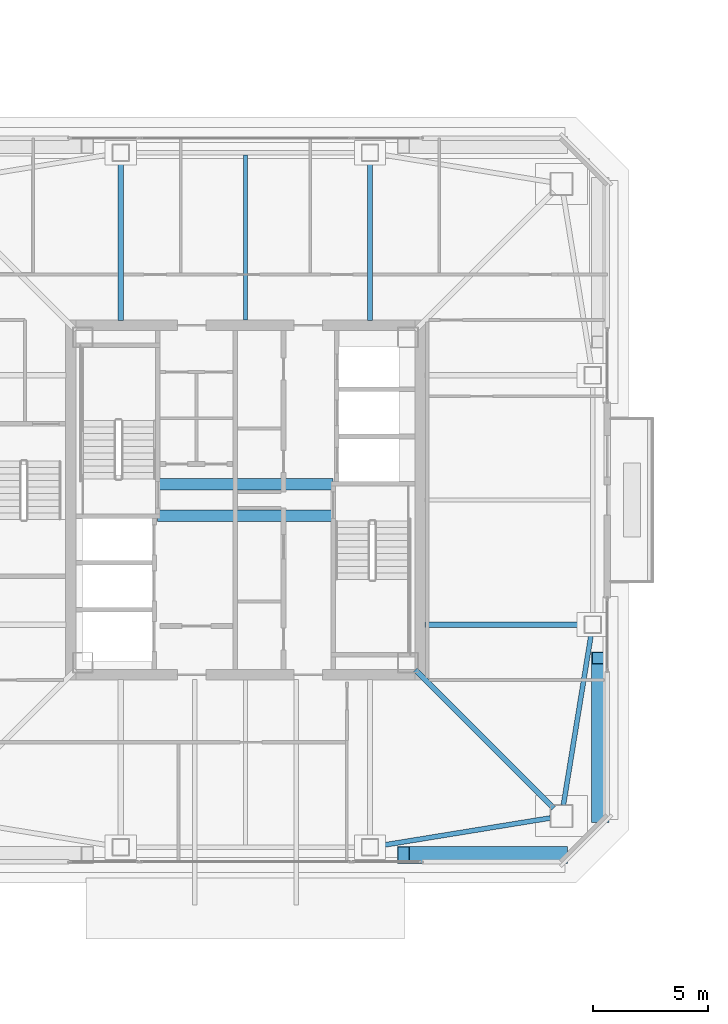
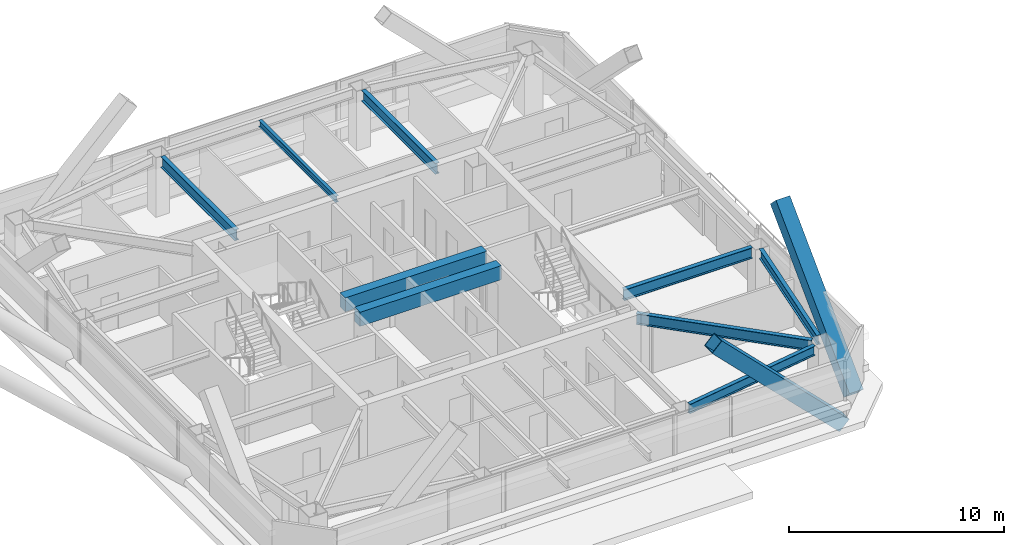
# One storey, part 9 of 39: 9 beams, 2 members.
"""IFC4 building model written with IfcOpenShell, lengths in metres."""

from ifc_helpers import new_model, si_unit, direction, frame, origin, origin_2d, place, context, subcontext, project, spatial, rectangle, hollow_rectangle, i_section, extrude, material, material_profile, profile_set, type_object, element, save


model = new_model("IFC4")

# Units and contexts
model_context = context("Model", 3, precision=1e-05, world=origin(), true_north=direction((0.0, 1.0)))
body_context = subcontext(model_context, "Body", "Model", "MODEL_VIEW")
ifc_project = project(units=[si_unit("LENGTHUNIT", "METRE"), si_unit("AREAUNIT", "SQUARE_METRE"), si_unit("VOLUMEUNIT", "CUBIC_METRE"), si_unit("PLANEANGLEUNIT", "RADIAN"), si_unit("MASSUNIT", "GRAM", prefix="KILO")], contexts=[model_context])

# Site, building, storey
site_placement = place(None, origin())
site = spatial("IfcSite", under=ifc_project, at=site_placement, CompositionType="ELEMENT")
building_placement = place(site_placement, origin())
building = spatial("IfcBuilding", under=site, at=building_placement, Name="Tashvorn Skyway Center", CompositionType="ELEMENT")
storey_placement = place(building_placement, frame((0.0, 0.0, 232.60009765625)))
storey = spatial("IfcBuildingStorey", under=building, at=storey_placement, Name="L63", CompositionType="ELEMENT", Elevation=232.60009765625)

# Beams
ifc_material_1 = material(Name="Steel ASTM A992 Grade 50", Category="steel")
ifc_material_profile_1 = material_profile(ifc_material_1, i_section(OverallWidth=0.22998046875, OverallDepth=0.616943359375, WebThickness=0.01318359375, FlangeThickness=0.022216796875, at=origin_2d()), Name="W24X94")
ifc_profile_set_1 = profile_set([ifc_material_profile_1], Name="Steel ASTM A992 Grade 50")
beam_type_1 = type_object("IfcBeamType", Name="BM-BEAM-W24X94", PredefinedType="BEAM", material=ifc_profile_set_1)
beam_1_placement = place(storey_placement, frame((55.35009765625, 18.64990234375, 3.0615234375), z_axis=(-0.707106781187, 0.707106781187, 0.0), x_axis=(-0.707106781187, -0.707106781187, 0.0)))
element("IfcBeam", 1, at=beam_1_placement, inside=storey, type_object=beam_type_1, Name="Tower 1 L63 Primary Floor Girder MC-SE", PredefinedType="BEAM", context=body_context, shape_type="SweptSolid", body=[
    extrude(i_section(OverallWidth=0.22998046875, OverallDepth=0.616943359375, WebThickness=0.01318359375, FlangeThickness=0.022216796875, at=origin_2d()), origin(), (0.0, 0.0, 1.0), 8.464599609375),
])
for number, where, z_axis, x_axis, name in (
    (2, (56.679931640625, 26.60009765625, 3.0615234375), (-1.0, 0.0, 0.0), (0.0, -1.0, 0.0), "Tower 1 L63 Primary Floor Girder FC-E1"),
    (3, (47.39990234375, 46.679931640625, 3.0615234375), (0.0, -1.0, 0.0), (1.0, 0.0, 0.0), "Tower 1 L63 Primary Floor Girder FC-N1"),
    (4, (36.60009765625, 46.679931640625, 3.0615234375), (0.0, -1.0, 0.0), (1.0, 0.0, 0.0), "Tower 1 L63 Primary Floor Girder FC-N2"),
):
    element("IfcBeam", number, at=place(storey_placement, frame(where, z_axis=z_axis, x_axis=x_axis)), inside=storey, type_object=beam_type_1, Name=name, PredefinedType="BEAM", context=body_context, shape_type="SweptSolid", body=[
        extrude(i_section(OverallWidth=0.22998046875, OverallDepth=0.616943359375, WebThickness=0.01318359375, FlangeThickness=0.022216796875, at=origin_2d()), origin(), (0.0, 0.0, 1.0), 6.89990234375),
    ])
ifc_material_profile_2 = material_profile(ifc_material_1, i_section(OverallWidth=0.1708984375, OverallDepth=0.35498046875, WebThickness=0.007080078125, FlangeThickness=0.01171875, at=origin_2d()), Name="W14X34")
ifc_profile_set_2 = profile_set([ifc_material_profile_2], Name="Steel ASTM A992 Grade 50")
beam_type_2 = type_object("IfcBeamType", Name="BM-JOIST-W14X34", PredefinedType="JOIST", material=ifc_profile_set_2)
beam_2_placement = place(storey_placement, frame((42.0, 39.7900390625, 3.1923828125), z_axis=(0.0, 1.0, 0.0), x_axis=(-1.0, 0.0, 0.0)))
element("IfcBeam", 5, at=beam_2_placement, inside=storey, type_object=beam_type_2, Name="Tower 1 L63 Secondary Composite Joist JN", PredefinedType="JOIST", context=body_context, shape_type="SweptSolid", body=[
    extrude(i_section(OverallWidth=0.1708984375, OverallDepth=0.35498046875, WebThickness=0.007080078125, FlangeThickness=0.01171875, at=origin_2d()), origin(), (0.0, 0.0, 1.0), 7.162353515625),
])
ifc_material_2 = material(Name="Concrete C50/60", Category="concrete")
ifc_material_profile_3 = material_profile(ifc_material_2, rectangle(XDim=0.5, YDim=0.800048828125, at=origin_2d()), Name="RCB500x800")
ifc_profile_set_3 = profile_set([ifc_material_profile_3], Name="Concrete C50/60")
beam_type_3 = type_object("IfcBeamType", Name="BM-LINTEL-RCB500x800", PredefinedType="LINTEL", material=ifc_profile_set_3)
for number, where, z_axis, x_axis, name in (
    (6, (38.199951171875, 32.679931640625, 2.969970703125), (1.0, 0.0, 0.0), (0.0, 1.0, 0.0), "Tower 1 L63 Core Coupling Beam CN"),
    (7, (38.199951171875, 31.320068359375, 2.969970703125), (1.0, 0.0, 0.0), (0.0, 1.0, 0.0), "Tower 1 L63 Core Coupling Beam CS"),
):
    element("IfcBeam", number, at=place(storey_placement, frame(where, z_axis=z_axis, x_axis=x_axis)), inside=storey, type_object=beam_type_3, Name=name, PredefinedType="LINTEL", context=body_context, shape_type="SweptSolid", body=[
        extrude(rectangle(XDim=0.5, YDim=0.800048828125, at=origin_2d()), origin(), (0.0, 0.0, 1.0), 7.60009765625),
    ])
ifc_material_profile_4 = material_profile(ifc_material_1, i_section(OverallWidth=0.2109375, OverallDepth=0.5390625, WebThickness=0.01171875, FlangeThickness=0.018798828125, at=origin_2d()), Name="W21X73")
ifc_profile_set_4 = profile_set([ifc_material_profile_4], Name="Steel ASTM A992 Grade 50")
beam_type_4 = type_object("IfcBeamType", Name="BM-SPANDREL-W21X73", PredefinedType="SPANDREL", material=ifc_profile_set_4)
for number, where, z_axis, x_axis, name in (
    (8, (47.76513671875, 17.009521484375, 3.100341796875), (0.987033514444, 0.160514302677, 0.0), (-0.160514302677, 0.987033514444, 0.0), "Tower 1 L63 Spandrel Beam 03"),
    (9, (55.779541015625, 18.78857421875, 3.100341796875), (0.160514302677, 0.987033514444, 0.0), (-0.987033514444, 0.160514302677, 0.0), "Tower 1 L63 Spandrel Beam 04"),
):
    element("IfcBeam", number, at=place(storey_placement, frame(where, z_axis=z_axis, x_axis=x_axis)), inside=storey, type_object=beam_type_4, Name=name, PredefinedType="SPANDREL", context=body_context, shape_type="SweptSolid", body=[
        extrude(i_section(OverallWidth=0.2109375, OverallDepth=0.5390625, WebThickness=0.01171875, FlangeThickness=0.018798828125, at=origin_2d()), origin(), (0.0, 0.0, 1.0), 7.544189453125),
    ])

# Members
ifc_material_3 = material(Name="Steel ASTM A572 Grade 50", Category="steel")
ifc_material_profile_5 = material_profile(ifc_material_3, hollow_rectangle(XDim=0.75, YDim=0.75, WallThickness=0.031982421875, at=origin_2d()), Name="BOX750x750x32")
ifc_profile_set_5 = profile_set([ifc_material_profile_5], Name="Steel ASTM A572 Grade 50")
member_type = type_object("IfcMemberType", Name="MEM-MB-750", PredefinedType="BRACE", material=ifc_profile_set_5)
for number, where, z_axis, x_axis, name in (
    (10, (55.699951171875, 16.6201171875, -0.2001953125), (-0.707094180045, 0.0, 0.707119382104), (0.0, -1.0, 0.0), "Tower 1 Zone 6 S Chevron Mega-Brace R1"),
    (11, (57.3798828125, 18.300048828125, -0.2001953125), (0.0, 0.707094180045, 0.707119382104), (-1.0, 0.0, 0.0), "Tower 1 Zone 6 E Chevron Mega-Brace L1"),
):
    element("IfcMember", number, at=place(storey_placement, frame(where, z_axis=z_axis, x_axis=x_axis)), inside=storey, type_object=member_type, Name=name, PredefinedType="BRACE", context=body_context, shape_type="SweptSolid", body=[
        extrude(hollow_rectangle(XDim=0.75, YDim=0.75, WallThickness=0.031982421875, at=origin_2d()), origin(), (0.0, 0.0, 1.0), 9.687255859375),
    ])

save(model, "model.ifc")
